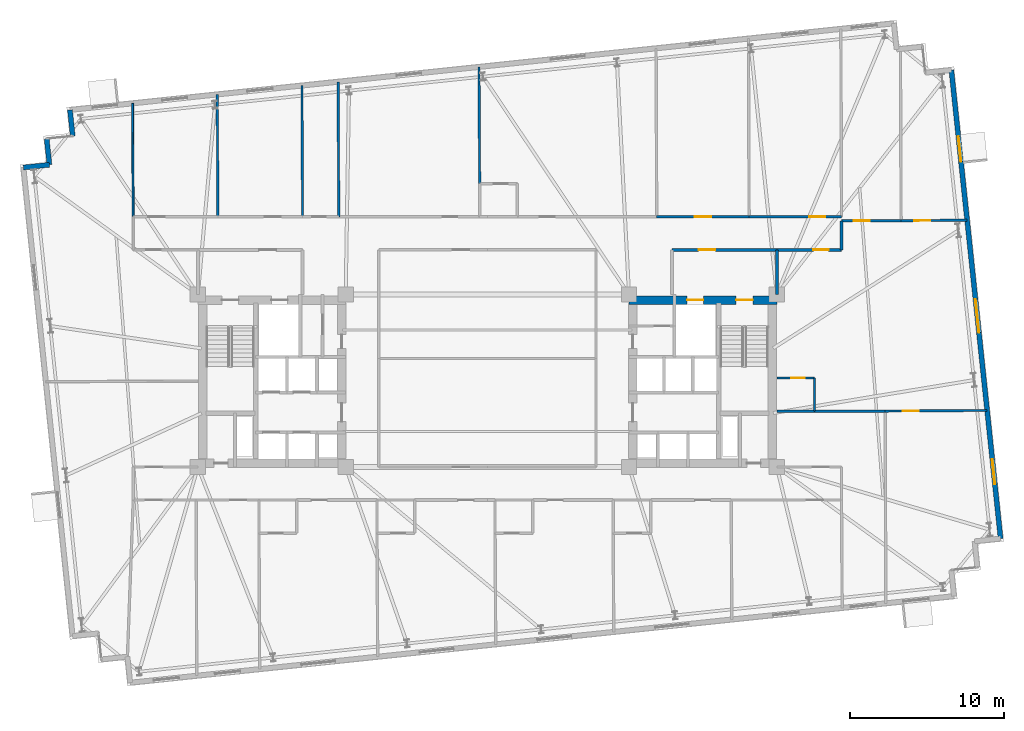
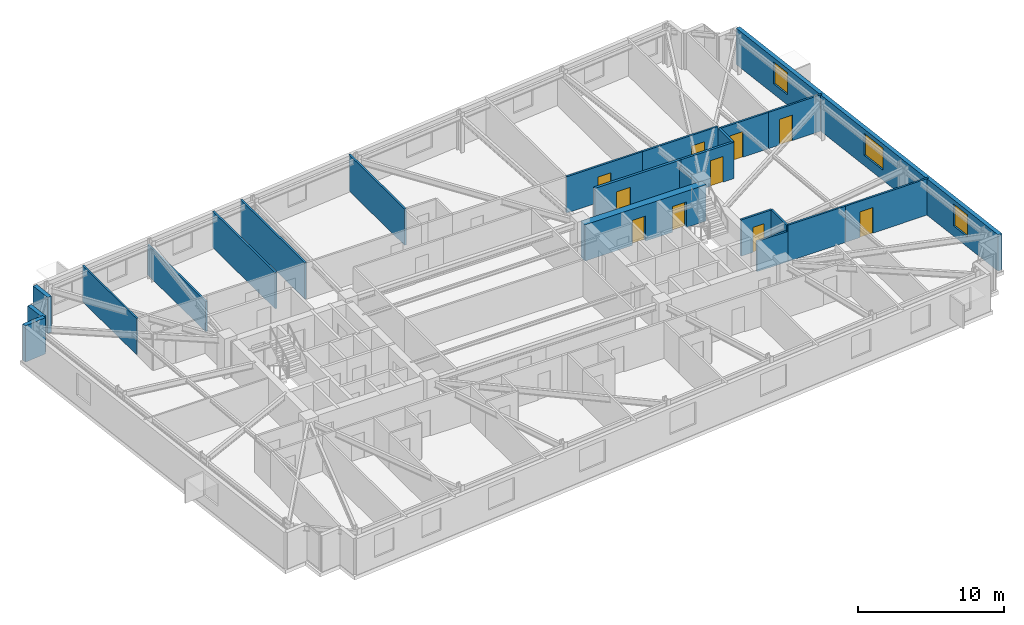
# One storey, part 15 of 18: 23 walls, 10 doors, 3 windows, 13 openings.
"""IFC4 building model written with IfcOpenShell, lengths in metres."""

from ifc_helpers import new_model, si_unit, direction, frame, frame_2d, origin, place, context, subcontext, project, spatial, rectangle, extrude, material, layer, layer_set, type_object, element, fill, save


model = new_model("IFC4")

# Units and contexts
model_context = context("Model", 3, precision=1e-05, world=origin(), true_north=direction((0.0, 1.0)))
body_context = subcontext(model_context, "Body", "Model", "MODEL_VIEW")
ifc_project = project(units=[si_unit("LENGTHUNIT", "METRE"), si_unit("AREAUNIT", "SQUARE_METRE"), si_unit("VOLUMEUNIT", "CUBIC_METRE"), si_unit("PLANEANGLEUNIT", "RADIAN"), si_unit("MASSUNIT", "GRAM", prefix="KILO")], contexts=[model_context])

# Site, building, storey
site_placement = place(None, origin())
site = spatial("IfcSite", under=ifc_project, at=site_placement, CompositionType="ELEMENT")
building_placement = place(site_placement, origin())
building = spatial("IfcBuilding", under=site, at=building_placement, Name="Qobustan Lattice House", CompositionType="ELEMENT")
storey_placement = place(building_placement, frame((0.0, 0.0, 92.39990234375)))
storey = spatial("IfcBuildingStorey", under=building, at=storey_placement, Name="L25", CompositionType="ELEMENT", Elevation=92.39990234375)

# Wall, openings, doors
ifc_material_1 = material(Name="Concrete C60/75", Category="concrete")
ifc_layer_1 = layer(ifc_material_1, 0.56005859375)
ifc_layer_set_1 = layer_set([ifc_layer_1], Name="Concrete C60/75")
wall_type_1 = type_object("IfcWallType", Name="WAL-CORE-600", PredefinedType="SHEAR", material=ifc_layer_set_1)
wall_1_placement = place(storey_placement, frame((9.199951171875, 5.239990234375, 0.0), z_axis=(0.0, 0.0, 1.0), x_axis=(1.0, 0.0, 0.0)))
wall_1 = element("IfcWall", 1, at=wall_1_placement, inside=storey, type_object=wall_type_1, Name="L25 split-core shear wall CE-N", PredefinedType="SHEAR", context=body_context, shape_type="SweptSolid", body=[
    extrude(rectangle(XDim=9.60009765625, YDim=0.56005859375, at=frame_2d((4.800048828125, 0.0))), origin(), (0.0, 0.0, 1.0), 3.045166015625),
])
opening_1_placement = place(wall_1_placement, frame((6.949951171875, 0.0, 0.0)))
opening_1 = element("IfcOpeningElement", 2, at=opening_1_placement, cuts=wall_1, Name="Opening SD-01", PredefinedType="OPENING", context=body_context, shape_type="SweptSolid", body=[
    extrude(rectangle(XDim=1.10009765625, YDim=2.14990234375, at=frame_2d((0.550048828125, 1.074951171875))), frame((0.0, 0.2900390625, 0.0), z_axis=(0.0, -1.0, 0.0), x_axis=(1.0, 0.0, 0.0)), (0.0, 0.0, 1.0), 0.580078125),
])
opening_2_placement = place(wall_1_placement, frame((3.77490234375, 0.0, 0.0)))
opening_2 = element("IfcOpeningElement", 3, at=opening_2_placement, cuts=wall_1, Name="Opening LD-01", PredefinedType="OPENING", context=body_context, shape_type="SweptSolid", body=[
    extrude(rectangle(XDim=1.050048828125, YDim=2.10009765625, at=frame_2d((0.52490234375, 1.050048828125))), frame((0.0, 0.2900390625, 0.0), z_axis=(0.0, -1.0, 0.0), x_axis=(1.0, 0.0, 0.0)), (0.0, 0.0, 1.0), 0.580078125),
])
ifc_material_2 = material(Name="Persian walnut timber and steel frame door", Category="steel")
door_type_1 = type_object("IfcDoorType", Name="DOR-LIFT-LD-1050x2100", OperationType="NOTDEFINED", PredefinedType="DOOR", material=ifc_material_2)
door_1_placement = place(opening_2_placement, origin())
door_1 = element("IfcDoor", 4, at=door_1_placement, inside=storey, type_object=door_type_1, Name="L25 firefighting lift FF-E landing door", OperationType="DOUBLE_DOOR_SLIDING", OverallHeight=2.10009765625, OverallWidth=1.050048828125, PredefinedType="DOOR", context=body_context, shape_type="SweptSolid", body=[
    extrude(rectangle(XDim=1.050048828125, YDim=2.10009765625, at=frame_2d((0.52490234375, 1.050048828125))), frame((0.0, 0.02490234375, 0.0), z_axis=(0.0, -1.0, 0.0), x_axis=(1.0, 0.0, 0.0)), (0.0, 0.0, 1.0), 0.050048828125),
])
fill(opening_2, door_1)
ifc_material_3 = material(Name="Persian walnut timber and steel frame door", Category="steel")
door_type_2 = type_object("IfcDoorType", Name="DOR-STAIR-FD-1100x2150", OperationType="NOTDEFINED", PredefinedType="DOOR", material=ifc_material_3)
door_2_placement = place(opening_1_placement, origin())
door_2 = element("IfcDoor", 5, at=door_2_placement, inside=storey, type_object=door_type_2, Name="L25 exit stair ST-E1 fire door", OperationType="SINGLE_SWING_LEFT", OverallHeight=2.14990234375, OverallWidth=1.10009765625, PredefinedType="DOOR", context=body_context, shape_type="SweptSolid", body=[
    extrude(rectangle(XDim=1.10009765625, YDim=2.14990234375, at=frame_2d((0.550048828125, 1.074951171875))), frame((0.0, 0.02490234375, 0.0), z_axis=(0.0, -1.0, 0.0), x_axis=(1.0, 0.0, 0.0)), (0.0, 0.0, 1.0), 0.050048828125),
])
fill(opening_1, door_2)

# Walls
ifc_material_4 = material(Name="Precast concrete C40/50", Category="concrete")
ifc_layer_2 = layer(ifc_material_4, 0.320068359375)
ifc_layer_set_2 = layer_set([ifc_layer_2], Name="Precast concrete C40/50")
wall_type_2 = type_object("IfcWallType", Name="WAL-EXT-STONE-320", PredefinedType="SOLIDWALL", material=ifc_layer_set_2)
for number, where, z_axis, x_axis, name in (
    (6, (-30.13330078125, 13.84912109375, 0.0), (0.0, 0.0, 1.0), (0.994534530939, 0.104408173862, 0.0), "L25 exterior limestone-clad wall 6"),
    (7, (-28.442626953125, 14.026611328125, 0.0), (0.0, 0.0, 1.0), (-0.104550220202, 0.994519608382, 0.0), "L25 exterior limestone-clad wall 7"),
    (8, (-26.9296875, 15.89501953125, 0.0), (0.0, 0.0, 1.0), (-0.104550220202, 0.994519608382, 0.0), "L25 exterior limestone-clad wall 9"),
):
    element("IfcWall", number, at=place(storey_placement, frame(where, z_axis=z_axis, x_axis=x_axis)), inside=storey, type_object=wall_type_2, Name=name, PredefinedType="SOLIDWALL", context=body_context, shape_type="SweptSolid", body=[
        extrude(rectangle(XDim=1.699951171875, YDim=0.320068359375, at=frame_2d((0.85009765625, 0.0))), origin(), (0.0, 0.0, 1.0), 3.045166015625),
    ])

# Wall, openings, windows
wall_2_placement = place(storey_placement, frame((30.134765625, 20.183349609375, 0.0), z_axis=(0.0, 0.0, 1.0), x_axis=(0.104525716865, -0.994522184023, 0.0)))
wall_2 = element("IfcWall", 9, at=wall_2_placement, inside=storey, type_object=wall_type_2, Name="L25 exterior limestone-clad wall 15", PredefinedType="SOLIDWALL", context=body_context, shape_type="SweptSolid", body=[
    extrude(rectangle(XDim=30.60009765625, YDim=0.320068359375, at=frame_2d((15.300048828125, 0.0))), origin(), (0.0, 0.0, 1.0), 3.045166015625),
])
opening_3_placement = place(wall_2_placement, frame((4.341796875, 0.0, 0.85009765625)))
opening_3 = element("IfcOpeningElement", 10, at=opening_3_placement, cuts=wall_2, Name="Opening WN-09", PredefinedType="OPENING", context=body_context, shape_type="SweptSolid", body=[
    extrude(rectangle(XDim=1.64990234375, YDim=1.85009765625, at=frame_2d((0.824951171875, 0.925048828125))), frame((0.0, 0.169921875, 0.0), z_axis=(0.0, -1.0, 0.0), x_axis=(1.0, 0.0, 0.0)), (0.0, 0.0, 1.0), 0.340087890625),
])
opening_4_placement = place(wall_2_placement, frame((14.9609375, 0.0, 0.85009765625)))
opening_4 = element("IfcOpeningElement", 11, at=opening_4_placement, cuts=wall_2, Name="Opening WN-03", PredefinedType="OPENING", context=body_context, shape_type="SweptSolid", body=[
    extrude(rectangle(XDim=2.199951171875, YDim=1.85009765625, at=frame_2d((1.10009765625, 0.925048828125))), frame((0.0, 0.169921875, 0.0), z_axis=(0.0, -1.0, 0.0), x_axis=(1.0, 0.0, 0.0)), (0.0, 0.0, 1.0), 0.340087890625),
])
opening_5_placement = place(wall_2_placement, frame((25.4091796875, 0.0, 0.85009765625)))
opening_5 = element("IfcOpeningElement", 12, at=opening_5_placement, cuts=wall_2, Name="Opening WN-09", PredefinedType="OPENING", context=body_context, shape_type="SweptSolid", body=[
    extrude(rectangle(XDim=1.64990234375, YDim=1.85009765625, at=frame_2d((0.824951171875, 0.925048828125))), frame((0.0, 0.169921875, 0.0), z_axis=(0.0, -1.0, 0.0), x_axis=(1.0, 0.0, 0.0)), (0.0, 0.0, 1.0), 0.340087890625),
])
ifc_material_5 = material(Name="Double-glazed low-E aluminium window", Category="aluminium")
window_type_1 = type_object("IfcWindowType", Name="WIN-STU-1650x1850", PartitioningType="SINGLE_PANEL", PredefinedType="WINDOW", material=ifc_material_5)
window_1_placement = place(opening_3_placement, origin())
window_1 = element("IfcWindow", 13, at=window_1_placement, inside=storey, type_object=window_type_1, Name="L25 Focus study room E3B window", OverallHeight=1.85009765625, OverallWidth=1.64990234375, PartitioningType="SINGLE_PANEL", PredefinedType="WINDOW", context=body_context, shape_type="SweptSolid", body=[
    extrude(rectangle(XDim=1.64990234375, YDim=1.85009765625, at=frame_2d((0.824951171875, 0.925048828125))), frame((0.0, 0.030029296875, 0.0), z_axis=(0.0, -1.0, 0.0), x_axis=(1.0, 0.0, 0.0)), (0.0, 0.0, 1.0), 0.06005859375),
])
fill(opening_3, window_1)
window_2_placement = place(opening_5_placement, origin())
window_2 = element("IfcWindow", 14, at=window_2_placement, inside=storey, type_object=window_type_1, Name="L25 Focus study room E1B window", OverallHeight=1.85009765625, OverallWidth=1.64990234375, PartitioningType="SINGLE_PANEL", PredefinedType="WINDOW", context=body_context, shape_type="SweptSolid", body=[
    extrude(rectangle(XDim=1.64990234375, YDim=1.85009765625, at=frame_2d((0.824951171875, 0.925048828125))), frame((0.0, 0.030029296875, 0.0), z_axis=(0.0, -1.0, 0.0), x_axis=(1.0, 0.0, 0.0)), (0.0, 0.0, 1.0), 0.06005859375),
])
fill(opening_5, window_2)
ifc_material_6 = material(Name="Double-glazed low-E aluminium window", Category="aluminium")
window_type_2 = type_object("IfcWindowType", Name="WIN-WIDE-2200x1850", PartitioningType="SINGLE_PANEL", PredefinedType="WINDOW", material=ifc_material_6)
window_3_placement = place(opening_4_placement, origin())
window_3 = element("IfcWindow", 15, at=window_3_placement, inside=storey, type_object=window_type_2, Name="L25 Kitchenette and studio apartment L25-E2 window", OverallHeight=1.85009765625, OverallWidth=2.199951171875, PartitioningType="SINGLE_PANEL", PredefinedType="WINDOW", context=body_context, shape_type="SweptSolid", body=[
    extrude(rectangle(XDim=2.199951171875, YDim=1.85009765625, at=frame_2d((1.10009765625, 0.925048828125))), frame((0.0, 0.030029296875, 0.0), z_axis=(0.0, -1.0, 0.0), x_axis=(1.0, 0.0, 0.0)), (0.0, 0.0, 1.0), 0.06005859375),
])
fill(opening_4, window_3)

# Wall, opening, door
ifc_material_7 = material(Name="Gypsum fireboard acoustic partition", Category="gypsum")
ifc_layer_3 = layer(ifc_material_7, 0.179931640625)
ifc_layer_set_3 = layer_set([ifc_layer_3], Name="Gypsum fireboard acoustic partition")
wall_type_3 = type_object("IfcWallType", Name="WAL-FIRE-180", PredefinedType="PARTITIONING", material=ifc_layer_set_3)
wall_3_placement = place(storey_placement, frame((23.0, 8.5, 0.0), z_axis=(0.0, 0.0, 1.0), x_axis=(-1.0, 0.0, 0.0)))
wall_3 = element("IfcWall", 16, at=wall_3_placement, inside=storey, type_object=wall_type_3, Name="L25 interior partition 46", PredefinedType="PARTITIONING", context=body_context, shape_type="SweptSolid", body=[
    extrude(rectangle(XDim=4.199951171875, YDim=0.179931640625, at=frame_2d((2.10009765625, 0.0))), origin(), (0.0, 0.0, 1.0), 3.045166015625),
])
opening_6_placement = place(wall_3_placement, frame((0.8349609375, 0.0, 0.0)))
opening_6 = element("IfcOpeningElement", 17, at=opening_6_placement, cuts=wall_3, Name="Opening FD-02", PredefinedType="OPENING", context=body_context, shape_type="SweptSolid", body=[
    extrude(rectangle(XDim=1.0, YDim=2.14990234375, at=frame_2d((0.5, 1.074951171875))), frame((0.0, 0.099853515625, 0.0), z_axis=(0.0, -1.0, 0.0), x_axis=(1.0, 0.0, 0.0)), (0.0, 0.0, 1.0), 0.199951171875),
])
ifc_material_8 = material(Name="Persian walnut timber and steel frame door", Category="steel")
door_type_3 = type_object("IfcDoorType", Name="DOR-UNIT-FD-1000x2150", OperationType="NOTDEFINED", PredefinedType="DOOR", material=ifc_material_8)
door_3_placement = place(opening_6_placement, origin())
door_3 = element("IfcDoor", 18, at=door_3_placement, inside=storey, type_object=door_type_3, Name="L25 North-east floor corridor to Kitchenette and studio apartment L25-E2 door", OperationType="SINGLE_SWING_RIGHT", OverallHeight=2.14990234375, OverallWidth=1.0, PredefinedType="DOOR", context=body_context, shape_type="SweptSolid", body=[
    extrude(rectangle(XDim=1.0, YDim=2.14990234375, at=frame_2d((0.5, 1.074951171875))), frame((0.0, 0.02490234375, 0.0), z_axis=(0.0, -1.0, 0.0), x_axis=(1.0, 0.0, 0.0)), (0.0, 0.0, 1.0), 0.050048828125),
])
fill(opening_6, door_3)

# Walls
wall_4_placement = place(storey_placement, frame((23.0, 10.387939453125, 0.0), z_axis=(0.0, 0.0, 1.0), x_axis=(0.0, -1.0, 0.0)))
element("IfcWall", 19, at=wall_4_placement, inside=storey, type_object=wall_type_3, Name="L25 interior partition 47", PredefinedType="PARTITIONING", context=body_context, shape_type="SweptSolid", body=[
    extrude(rectangle(XDim=1.887939453125, YDim=0.179931640625, at=frame_2d((0.94384765625, 0.0))), origin(), (0.0, 0.0, 1.0), 3.045166015625),
])
ifc_material_9 = material(Name="Lightweight acoustic stud partition", Category="gypsum")
ifc_layer_4 = layer(ifc_material_9, 0.125)
ifc_layer_set_4 = layer_set([ifc_layer_4], Name="Lightweight acoustic stud partition")
wall_type_4 = type_object("IfcWallType", Name="WAL-PART-125", PredefinedType="PARTITIONING", material=ifc_layer_set_4)
wall_5_placement = place(storey_placement, frame((-23.0439453125, 18.0126953125, 0.0), z_axis=(0.0, 0.0, 1.0), x_axis=(0.005968459246, -0.999982188588, 0.0)))
element("IfcWall", 20, at=wall_5_placement, inside=storey, type_object=wall_type_4, Name="L25 interior partition 77", PredefinedType="PARTITIONING", context=body_context, shape_type="SweptSolid", body=[
    extrude(rectangle(XDim=7.363037109375, YDim=0.125, at=frame_2d((3.681640625, 0.0))), origin(), (0.0, 0.0, 1.0), 3.045166015625),
])

# Wall, opening, door
ifc_material_10 = material(Name="Acoustic twin-stud gypsum partition", Category="gypsum")
ifc_layer_5 = layer(ifc_material_10, 0.14990234375)
ifc_layer_set_5 = layer_set([ifc_layer_5], Name="Acoustic twin-stud gypsum partition")
wall_type_5 = type_object("IfcWallType", Name="WAL-PART-150", PredefinedType="PARTITIONING", material=ifc_layer_set_5)
wall_6_placement = place(storey_placement, frame((11.0, 10.64990234375, 0.0), z_axis=(0.0, 0.0, 1.0), x_axis=(1.0, 0.0, 0.0)))
wall_6 = element("IfcWall", 21, at=wall_6_placement, inside=storey, type_object=wall_type_5, Name="L25 interior partition 50", PredefinedType="PARTITIONING", context=body_context, shape_type="SweptSolid", body=[
    extrude(rectangle(XDim=6.0, YDim=0.14990234375, at=frame_2d((3.0, 0.0))), origin(), (0.0, 0.0, 1.0), 3.045166015625),
])
opening_7_placement = place(wall_6_placement, frame((2.47509765625, 0.0, 0.0)))
opening_7 = element("IfcOpeningElement", 22, at=opening_7_placement, cuts=wall_6, Name="Opening ID-02", PredefinedType="OPENING", context=body_context, shape_type="SweptSolid", body=[
    extrude(rectangle(XDim=1.050048828125, YDim=2.14990234375, at=frame_2d((0.52490234375, 1.074951171875))), frame((0.0, 0.0849609375, 0.0), z_axis=(0.0, -1.0, 0.0), x_axis=(1.0, 0.0, 0.0)), (0.0, 0.0, 1.0), 0.169921875),
])
ifc_material_11 = material(Name="Persian walnut timber and steel frame door", Category="steel")
door_type_4 = type_object("IfcDoorType", Name="DOR-STUDY-1050x2150", OperationType="NOTDEFINED", PredefinedType="DOOR", material=ifc_material_11)
door_4_placement = place(opening_7_placement, origin())
door_4 = element("IfcDoor", 23, at=door_4_placement, inside=storey, type_object=door_type_4, Name="L25 North-east floor corridor to Focus study room N4A door", OperationType="SINGLE_SWING_RIGHT", OverallHeight=2.14990234375, OverallWidth=1.050048828125, PredefinedType="DOOR", context=body_context, shape_type="SweptSolid", body=[
    extrude(rectangle(XDim=1.050048828125, YDim=2.14990234375, at=frame_2d((0.52490234375, 1.074951171875))), frame((0.0, 0.02490234375, 0.0), z_axis=(0.0, -1.0, 0.0), x_axis=(1.0, 0.0, 0.0)), (0.0, 0.0, 1.0), 0.050048828125),
])
fill(opening_7, door_4)

wall_7_placement = place(storey_placement, frame((17.0, 10.64990234375, 0.0), z_axis=(0.0, 0.0, 1.0), x_axis=(1.0, 0.0, 0.0)))
wall_7 = element("IfcWall", 24, at=wall_7_placement, inside=storey, type_object=wall_type_5, Name="L25 interior partition 51", PredefinedType="PARTITIONING", context=body_context, shape_type="SweptSolid", body=[
    extrude(rectangle(XDim=6.0, YDim=0.14990234375, at=frame_2d((3.0, 0.0))), origin(), (0.0, 0.0, 1.0), 3.045166015625),
])
opening_8_placement = place(wall_7_placement, frame((3.896240234375, 0.0, 0.0)))
opening_8 = element("IfcOpeningElement", 25, at=opening_8_placement, cuts=wall_7, Name="Opening ID-02", PredefinedType="OPENING", context=body_context, shape_type="SweptSolid", body=[
    extrude(rectangle(XDim=1.050048828125, YDim=2.14990234375, at=frame_2d((0.52490234375, 1.074951171875))), frame((0.0, 0.0849609375, 0.0), z_axis=(0.0, -1.0, 0.0), x_axis=(1.0, 0.0, 0.0)), (0.0, 0.0, 1.0), 0.169921875),
])
door_5_placement = place(opening_8_placement, origin())
door_5 = element("IfcDoor", 26, at=door_5_placement, inside=storey, type_object=door_type_4, Name="L25 North-east floor corridor to Focus study room N4B door", OperationType="SINGLE_SWING_LEFT", OverallHeight=2.14990234375, OverallWidth=1.050048828125, PredefinedType="DOOR", context=body_context, shape_type="SweptSolid", body=[
    extrude(rectangle(XDim=1.050048828125, YDim=2.14990234375, at=frame_2d((0.52490234375, 1.074951171875))), frame((0.0, 0.02490234375, 0.0), z_axis=(0.0, -1.0, 0.0), x_axis=(1.0, 0.0, 0.0)), (0.0, 0.0, 1.0), 0.050048828125),
])
fill(opening_8, door_5)

# Wall
wall_8_placement = place(storey_placement, frame((21.25, -1.971923828125, 0.0), z_axis=(0.0, 0.0, 1.0), x_axis=(1.0, 0.0, 0.0)))
element("IfcWall", 27, at=wall_8_placement, inside=storey, type_object=wall_type_5, Name="L25 interior partition 79", PredefinedType="PARTITIONING", context=body_context, shape_type="SweptSolid", body=[
    extrude(rectangle(XDim=4.585693359375, YDim=0.14990234375, at=frame_2d((2.29296875, 0.0))), origin(), (0.0, 0.0, 1.0), 3.045166015625),
])

# Wall, opening, door
wall_9_placement = place(storey_placement, frame((25.835693359375, -1.971923828125, 0.0), z_axis=(0.0, 0.0, 1.0), x_axis=(0.999977987715, 0.006635064796, 0.0)))
wall_9 = element("IfcWall", 28, at=wall_9_placement, inside=storey, type_object=wall_type_5, Name="L25 interior partition 82", PredefinedType="PARTITIONING", context=body_context, shape_type="SweptSolid", body=[
    extrude(rectangle(XDim=6.623291015625, YDim=0.14990234375, at=frame_2d((3.3115234375, 0.0))), origin(), (0.0, 0.0, 1.0), 3.045166015625),
])
opening_9_placement = place(wall_9_placement, frame((1.131591796875, 0.0, 0.0)))
opening_9 = element("IfcOpeningElement", 29, at=opening_9_placement, cuts=wall_9, Name="Opening ID-02", PredefinedType="OPENING", context=body_context, shape_type="SweptSolid", body=[
    extrude(rectangle(XDim=1.050048828125, YDim=2.14990234375, at=frame_2d((0.52490234375, 1.074951171875))), frame((0.0, 0.0849609375, 0.0), z_axis=(0.0, -1.0, 0.0), x_axis=(1.0, 0.0, 0.0)), (0.0, 0.0, 1.0), 0.169921875),
])
door_6_placement = place(opening_9_placement, origin())
door_6 = element("IfcDoor", 30, at=door_6_placement, inside=storey, type_object=door_type_4, Name="L25 Focus study room E1B to Kitchenette and studio apartment L25-E2 door", OperationType="SINGLE_SWING_RIGHT", OverallHeight=2.14990234375, OverallWidth=1.050048828125, PredefinedType="DOOR", context=body_context, shape_type="SweptSolid", body=[
    extrude(rectangle(XDim=1.050048828125, YDim=2.14990234375, at=frame_2d((0.52490234375, 1.074951171875))), frame((0.0, 0.02490234375, 0.0), z_axis=(0.0, -1.0, 0.0), x_axis=(1.0, 0.0, 0.0)), (0.0, 0.0, 1.0), 0.050048828125),
])
fill(opening_9, door_6)

wall_10_placement = place(storey_placement, frame((23.0, 10.387939453125, 0.0), z_axis=(0.0, 0.0, 1.0), x_axis=(1.0, 0.0, 0.0)))
wall_10 = element("IfcWall", 31, at=wall_10_placement, inside=storey, type_object=wall_type_5, Name="L25 interior partition 85", PredefinedType="PARTITIONING", context=body_context, shape_type="SweptSolid", body=[
    extrude(rectangle(XDim=3.87109375, YDim=0.14990234375, at=frame_2d((1.935546875, 0.0))), origin(), (0.0, 0.0, 1.0), 3.045166015625),
])
opening_10_placement = place(wall_10_placement, frame((0.78759765625, 0.0, 0.0)))
opening_10 = element("IfcOpeningElement", 32, at=opening_10_placement, cuts=wall_10, Name="Opening ID-02", PredefinedType="OPENING", context=body_context, shape_type="SweptSolid", body=[
    extrude(rectangle(XDim=1.050048828125, YDim=2.14990234375, at=frame_2d((0.52490234375, 1.074951171875))), frame((0.0, 0.0849609375, 0.0), z_axis=(0.0, -1.0, 0.0), x_axis=(1.0, 0.0, 0.0)), (0.0, 0.0, 1.0), 0.169921875),
])
door_7_placement = place(opening_10_placement, origin())
door_7 = element("IfcDoor", 33, at=door_7_placement, inside=storey, type_object=door_type_4, Name="L25 Kitchenette and studio apartment L25-E2 to Focus study room E3A door", OperationType="SINGLE_SWING_RIGHT", OverallHeight=2.14990234375, OverallWidth=1.050048828125, PredefinedType="DOOR", context=body_context, shape_type="SweptSolid", body=[
    extrude(rectangle(XDim=1.050048828125, YDim=2.14990234375, at=frame_2d((0.52490234375, 1.074951171875))), frame((0.0, 0.02490234375, 0.0), z_axis=(0.0, -1.0, 0.0), x_axis=(1.0, 0.0, 0.0)), (0.0, 0.0, 1.0), 0.050048828125),
])
fill(opening_10, door_7)

wall_11_placement = place(storey_placement, frame((26.87109375, 10.387939453125, 0.0), z_axis=(0.0, 0.0, 1.0), x_axis=(0.999947502931, 0.010246530259, 0.0)))
wall_11 = element("IfcWall", 34, at=wall_11_placement, inside=storey, type_object=wall_type_5, Name="L25 interior partition 86", PredefinedType="PARTITIONING", context=body_context, shape_type="SweptSolid", body=[
    extrude(rectangle(XDim=4.288818359375, YDim=0.14990234375, at=frame_2d((2.14453125, 0.0))), origin(), (0.0, 0.0, 1.0), 3.045166015625),
])
opening_11_placement = place(wall_11_placement, frame((0.83984375, 0.0, 0.0)))
opening_11 = element("IfcOpeningElement", 35, at=opening_11_placement, cuts=wall_11, Name="Opening ID-02", PredefinedType="OPENING", context=body_context, shape_type="SweptSolid", body=[
    extrude(rectangle(XDim=1.050048828125, YDim=2.14990234375, at=frame_2d((0.52490234375, 1.074951171875))), frame((0.0, 0.0849609375, 0.0), z_axis=(0.0, -1.0, 0.0), x_axis=(1.0, 0.0, 0.0)), (0.0, 0.0, 1.0), 0.169921875),
])
door_8_placement = place(opening_11_placement, origin())
door_8 = element("IfcDoor", 36, at=door_8_placement, inside=storey, type_object=door_type_4, Name="L25 Kitchenette and studio apartment L25-E2 to Focus study room E3B door", OperationType="SINGLE_SWING_LEFT", OverallHeight=2.14990234375, OverallWidth=1.050048828125, PredefinedType="DOOR", context=body_context, shape_type="SweptSolid", body=[
    extrude(rectangle(XDim=1.050048828125, YDim=2.14990234375, at=frame_2d((0.52490234375, 1.074951171875))), frame((0.0, 0.02490234375, 0.0), z_axis=(0.0, -1.0, 0.0), x_axis=(1.0, 0.0, 0.0)), (0.0, 0.0, 1.0), 0.050048828125),
])
fill(opening_11, door_8)

# Walls
wall_12_placement = place(storey_placement, frame((-17.5439453125, 18.5908203125, 0.0), z_axis=(0.0, 0.0, 1.0), x_axis=(0.005533949572, -0.999984687584, 0.0)))
element("IfcWall", 37, at=wall_12_placement, inside=storey, type_object=wall_type_5, Name="L25 interior partition 89", PredefinedType="PARTITIONING", context=body_context, shape_type="SweptSolid", body=[
    extrude(rectangle(XDim=7.94091796875, YDim=0.14990234375, at=frame_2d((3.970458984375, 0.0))), origin(), (0.0, 0.0, 1.0), 2.530029296875),
])
wall_13_placement = place(storey_placement, frame((-0.5439453125, 20.377685546875, 0.0), z_axis=(0.0, 0.0, 1.0), x_axis=(0.005799245221, -0.999983184236, 0.0)))
element("IfcWall", 38, at=wall_13_placement, inside=storey, type_object=wall_type_5, Name="L25 interior partition 92", PredefinedType="PARTITIONING", context=body_context, shape_type="SweptSolid", body=[
    extrude(rectangle(XDim=7.577880859375, YDim=0.14990234375, at=frame_2d((3.7890625, 0.0))), origin(), (0.0, 0.0, 1.0), 3.045166015625),
])

# Wall, opening, door
ifc_material_12 = material(Name="Two-hour gypsum fireboard acoustic partition", Category="gypsum")
ifc_layer_6 = layer(ifc_material_12, 0.199951171875)
ifc_layer_set_6 = layer_set([ifc_layer_6], Name="Two-hour gypsum fireboard acoustic partition")
wall_type_6 = type_object("IfcWallType", Name="WAL-PROT-200", PredefinedType="PARTITIONING", material=ifc_layer_set_6)
wall_14_placement = place(storey_placement, frame((18.800048828125, 8.5, 0.0), z_axis=(0.0, 0.0, 1.0), x_axis=(-1.0, 0.0, 0.0)))
wall_14 = element("IfcWall", 39, at=wall_14_placement, inside=storey, type_object=wall_type_6, Name="L25 interior partition 22", PredefinedType="PARTITIONING", context=body_context, shape_type="SweptSolid", body=[
    extrude(rectangle(XDim=6.800048828125, YDim=0.199951171875, at=frame_2d((3.39990234375, 0.0))), origin(), (0.0, 0.0, 1.0), 3.045166015625),
])
opening_12_placement = place(wall_14_placement, frame((3.985107421875, 0.0, 0.0)))
opening_12 = element("IfcOpeningElement", 40, at=opening_12_placement, cuts=wall_14, Name="Opening SD-01", PredefinedType="OPENING", context=body_context, shape_type="SweptSolid", body=[
    extrude(rectangle(XDim=1.10009765625, YDim=2.14990234375, at=frame_2d((0.550048828125, 1.074951171875))), frame((0.0, 0.10986328125, 0.0), z_axis=(0.0, -1.0, 0.0), x_axis=(1.0, 0.0, 0.0)), (0.0, 0.0, 1.0), 0.219970703125),
])
door_9_placement = place(opening_12_placement, origin())
door_9 = element("IfcDoor", 41, at=door_9_placement, inside=storey, type_object=door_type_2, Name="L25 East firefighting lift lobby to North-east floor corridor door", OperationType="SINGLE_SWING_RIGHT", OverallHeight=2.14990234375, OverallWidth=1.10009765625, PredefinedType="DOOR", context=body_context, shape_type="SweptSolid", body=[
    extrude(rectangle(XDim=1.10009765625, YDim=2.14990234375, at=frame_2d((0.550048828125, 1.074951171875))), frame((0.0, 0.02490234375, 0.0), z_axis=(0.0, -1.0, 0.0), x_axis=(1.0, 0.0, 0.0)), (0.0, 0.0, 1.0), 0.050048828125),
])
fill(opening_12, door_9)

# Walls
wall_15_placement = place(storey_placement, frame((18.800048828125, 5.60009765625, 0.0), z_axis=(0.0, 0.0, 1.0), x_axis=(0.0, 1.0, 0.0)))
element("IfcWall", 42, at=wall_15_placement, inside=storey, type_object=wall_type_6, Name="L25 interior partition 24", PredefinedType="PARTITIONING", context=body_context, shape_type="SweptSolid", body=[
    extrude(rectangle(XDim=2.89990234375, YDim=0.199951171875, at=frame_2d((1.449951171875, 0.0))), origin(), (0.0, 0.0, 1.0), 2.530029296875),
])
ifc_material_13 = material(Name="Moisture-resistant acoustic plumbing wall", Category="gypsum")
ifc_layer_7 = layer(ifc_material_13, 0.14990234375)
ifc_layer_set_7 = layer_set([ifc_layer_7], Name="Moisture-resistant acoustic plumbing wall")
wall_type_7 = type_object("IfcWallType", Name="WAL-WET-150", PredefinedType="PLUMBINGWALL", material=ifc_layer_set_7)
wall_16_placement = place(storey_placement, frame((18.800048828125, -1.971923828125, 0.0), z_axis=(0.0, 0.0, 1.0), x_axis=(1.0, 0.0, 0.0)))
element("IfcWall", 43, at=wall_16_placement, inside=storey, type_object=wall_type_7, Name="L25 interior partition 80", PredefinedType="PLUMBINGWALL", context=body_context, shape_type="SweptSolid", body=[
    extrude(rectangle(XDim=2.449951171875, YDim=0.14990234375, at=frame_2d((1.22509765625, 0.0))), origin(), (0.0, 0.0, 1.0), 2.530029296875),
])

# Wall, opening, door
wall_17_placement = place(storey_placement, frame((21.25, 0.177978515625, 0.0), z_axis=(0.0, 0.0, 1.0), x_axis=(-1.0, 0.0, 0.0)))
wall_17 = element("IfcWall", 44, at=wall_17_placement, inside=storey, type_object=wall_type_7, Name="L25 interior partition 83", PredefinedType="PLUMBINGWALL", context=body_context, shape_type="SweptSolid", body=[
    extrude(rectangle(XDim=2.449951171875, YDim=0.14990234375, at=frame_2d((1.22509765625, 0.0))), origin(), (0.0, 0.0, 1.0), 3.045166015625),
])
opening_13_placement = place(wall_17_placement, frame((0.628662109375, 0.0, 0.0)))
opening_13 = element("IfcOpeningElement", 45, at=opening_13_placement, cuts=wall_17, Name="Opening WD-01", PredefinedType="OPENING", context=body_context, shape_type="SweptSolid", body=[
    extrude(rectangle(XDim=0.89990234375, YDim=2.10009765625, at=frame_2d((0.449951171875, 1.050048828125))), frame((0.0, 0.0849609375, 0.0), z_axis=(0.0, -1.0, 0.0), x_axis=(1.0, 0.0, 0.0)), (0.0, 0.0, 1.0), 0.169921875),
])
ifc_material_14 = material(Name="Persian walnut timber and steel frame door", Category="steel")
door_type_5 = type_object("IfcDoorType", Name="DOR-WET-900x2100", OperationType="NOTDEFINED", PredefinedType="DOOR", material=ifc_material_14)
door_10_placement = place(opening_13_placement, origin())
door_10 = element("IfcDoor", 46, at=door_10_placement, inside=storey, type_object=door_type_5, Name="L25 Kitchenette and studio apartment L25-E2 to En-suite bathroom L25-E2 door", OperationType="SINGLE_SWING_LEFT", OverallHeight=2.10009765625, OverallWidth=0.89990234375, PredefinedType="DOOR", context=body_context, shape_type="SweptSolid", body=[
    extrude(rectangle(XDim=0.89990234375, YDim=2.10009765625, at=frame_2d((0.449951171875, 1.050048828125))), frame((0.0, 0.02490234375, 0.0), z_axis=(0.0, -1.0, 0.0), x_axis=(1.0, 0.0, 0.0)), (0.0, 0.0, 1.0), 0.050048828125),
])
fill(opening_13, door_10)

# Walls
wall_18_placement = place(storey_placement, frame((21.25, -1.971923828125, 0.0), z_axis=(0.0, 0.0, 1.0), x_axis=(0.0, 1.0, 0.0)))
element("IfcWall", 47, at=wall_18_placement, inside=storey, type_object=wall_type_7, Name="L25 interior partition 84", PredefinedType="PLUMBINGWALL", context=body_context, shape_type="SweptSolid", body=[
    extrude(rectangle(XDim=2.14990234375, YDim=0.14990234375, at=frame_2d((1.074951171875, 0.0))), origin(), (0.0, 0.0, 1.0), 3.045166015625),
])
wall_19_placement = place(storey_placement, frame((-12.0439453125, 19.1689453125, 0.0), z_axis=(0.0, 0.0, 1.0), x_axis=(0.005158411336, -0.999986695308, 0.0)))
element("IfcWall", 48, at=wall_19_placement, inside=storey, type_object=wall_type_7, Name="L25 interior partition 90", PredefinedType="PLUMBINGWALL", context=body_context, shape_type="SweptSolid", body=[
    extrude(rectangle(XDim=8.51904296875, YDim=0.14990234375, at=frame_2d((4.259521484375, 0.0))), origin(), (0.0, 0.0, 1.0), 3.045166015625),
])
wall_20_placement = place(storey_placement, frame((-9.69384765625, 19.416015625, 0.0), z_axis=(0.0, 0.0, 1.0), x_axis=(0.005013026743, -0.999987434702, 0.0)))
element("IfcWall", 49, at=wall_20_placement, inside=storey, type_object=wall_type_7, Name="L25 interior partition 91", PredefinedType="PLUMBINGWALL", context=body_context, shape_type="SweptSolid", body=[
    extrude(rectangle(XDim=8.76611328125, YDim=0.14990234375, at=frame_2d((4.383056640625, 0.0))), origin(), (0.0, 0.0, 1.0), 3.045166015625),
])

save(model, "model.ifc")
